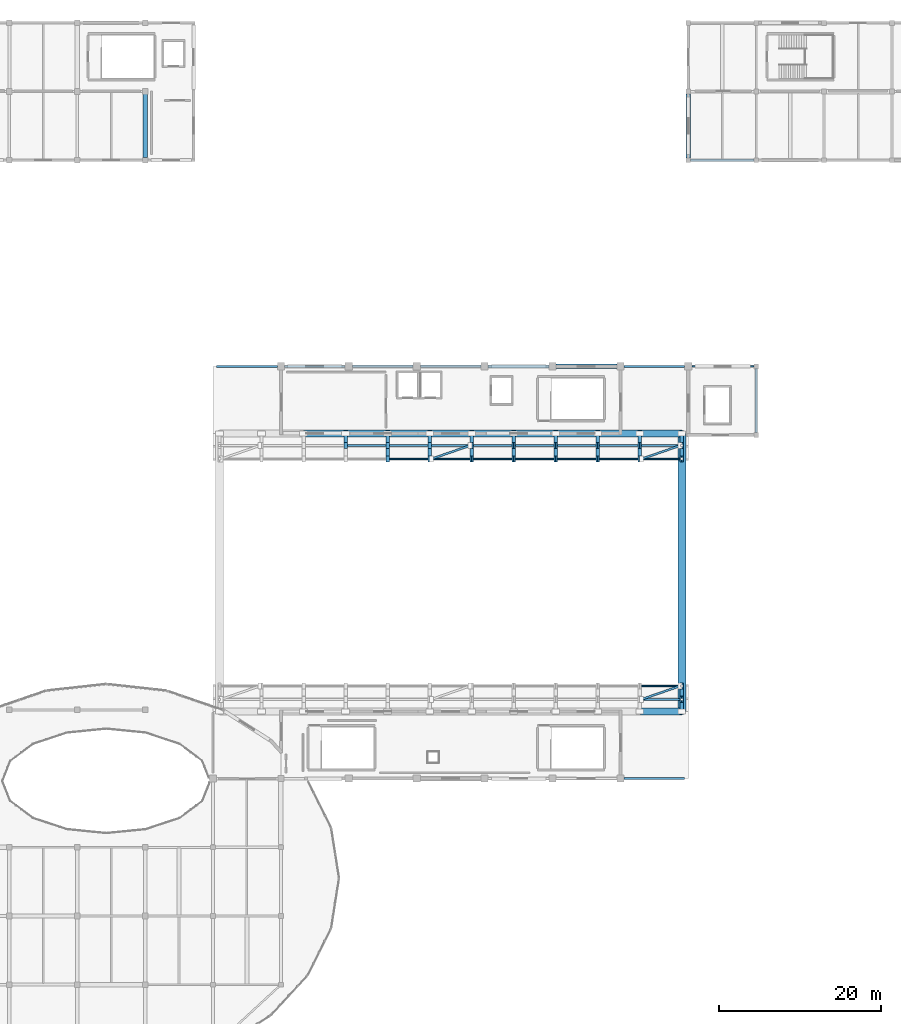
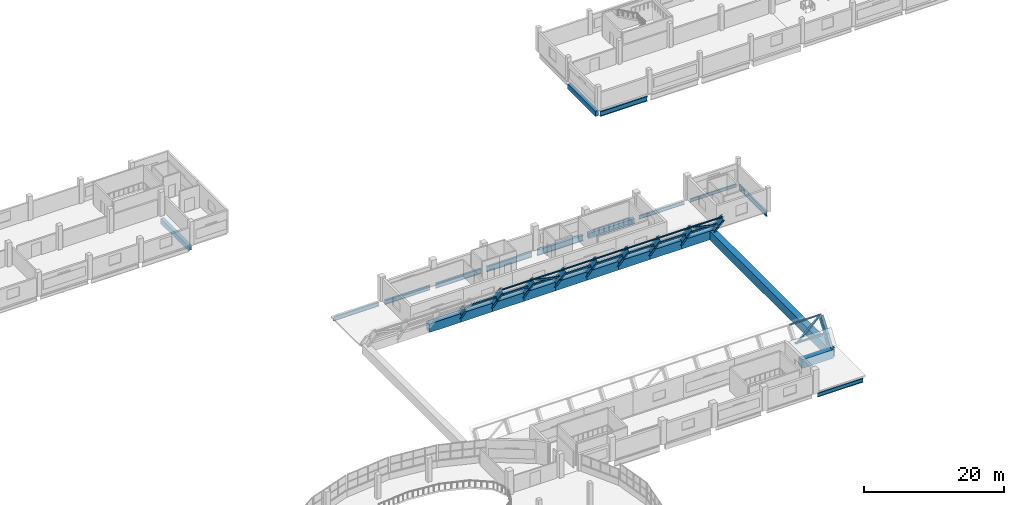
# One storey, part 31 of 52: 43 beams, 20 members.
"""IFC4 building model written with IfcOpenShell, lengths in metres."""

from ifc_helpers import new_model, si_unit, direction, frame, origin, origin_2d, place, context, subcontext, project, spatial, rectangle, hollow_rectangle, hollow_circle, i_section, extrude, material, material_profile, profile_set, type_object, element, save


model = new_model("IFC4")

# Units and contexts
model_context = context("Model", 3, precision=1e-05, world=origin(), true_north=direction((0.0, 1.0)))
body_context = subcontext(model_context, "Body", "Model", "MODEL_VIEW")
ifc_project = project(units=[si_unit("LENGTHUNIT", "METRE"), si_unit("AREAUNIT", "SQUARE_METRE"), si_unit("VOLUMEUNIT", "CUBIC_METRE"), si_unit("PLANEANGLEUNIT", "RADIAN"), si_unit("MASSUNIT", "GRAM", prefix="KILO")], contexts=[model_context])

# Site, building, storey
site_placement = place(None, origin())
site = spatial("IfcSite", under=ifc_project, at=site_placement, CompositionType="ELEMENT")
building_placement = place(site_placement, origin())
building = spatial("IfcBuilding", under=site, at=building_placement, Name="Solvento Point Concert Hall", CompositionType="ELEMENT")
storey_placement = place(building_placement, frame((0.0, 0.0, 19.5)))
storey = spatial("IfcBuildingStorey", under=building, at=storey_placement, Name="L04", CompositionType="ELEMENT", Elevation=19.5)

# Beams
ifc_material_1 = material(Name="Structural Steel ASTM A992 Grade 50", Category="steel")
ifc_material_profile_1 = material_profile(ifc_material_1, i_section(OverallWidth=0.423095703125, OverallDepth=0.947998046875, WebThickness=0.02392578125, FlangeThickness=0.042724609375, at=origin_2d()), Name="W36X302")
ifc_profile_set_1 = profile_set([ifc_material_profile_1], Name="Structural Steel ASTM A992 Grade 50")
beam_type_1 = type_object("IfcBeamType", Name="ArchRib_W36X302", PredefinedType="BEAM", material=ifc_profile_set_1)
beam_1_placement = place(storey_placement, frame((90.800048828125, 83.701416015625, 1.583251953125), z_axis=(0.0, 0.557211589906, -0.830370546247), x_axis=(-1.0, 0.0, 0.0)))
element("IfcBeam", 1, at=beam_1_placement, inside=storey, type_object=beam_type_1, Name="Steel arch rib AR-01 bay 4 seg 12", PredefinedType="BEAM", context=body_context, shape_type="SweptSolid", body=[
    extrude(i_section(OverallWidth=0.423095703125, OverallDepth=0.947998046875, WebThickness=0.02392578125, FlangeThickness=0.042724609375, at=origin_2d()), origin(), (0.0, 0.0, 1.0), 2.689453125),
])
beam_2_placement = place(storey_placement, frame((96.0, 82.043701171875, 3.816650390625), z_axis=(0.0, 0.596003968317, -0.8029814878), x_axis=(-1.0, 0.0, 0.0)))
element("IfcBeam", 2, at=beam_2_placement, inside=storey, type_object=beam_type_1, Name="Steel arch rib AR-01 bay 5 seg 11", PredefinedType="BEAM", context=body_context, shape_type="SweptSolid", body=[
    extrude(i_section(OverallWidth=0.423095703125, OverallDepth=0.947998046875, WebThickness=0.02392578125, FlangeThickness=0.042724609375, at=origin_2d()), origin(), (0.0, 0.0, 1.0), 2.781494140625),
])
beam_3_placement = place(storey_placement, frame((96.0, 83.701416015625, 1.583251953125), z_axis=(0.0, 0.557211589906, -0.830370546247), x_axis=(-1.0, 0.0, 0.0)))
element("IfcBeam", 3, at=beam_3_placement, inside=storey, type_object=beam_type_1, Name="Steel arch rib AR-01 bay 5 seg 12", PredefinedType="BEAM", context=body_context, shape_type="SweptSolid", body=[
    extrude(i_section(OverallWidth=0.423095703125, OverallDepth=0.947998046875, WebThickness=0.02392578125, FlangeThickness=0.042724609375, at=origin_2d()), origin(), (0.0, 0.0, 1.0), 2.689453125),
])
beam_4_placement = place(storey_placement, frame((101.199951171875, 82.043701171875, 3.816650390625), z_axis=(0.0, 0.596003968317, -0.8029814878), x_axis=(-1.0, 0.0, 0.0)))
element("IfcBeam", 4, at=beam_4_placement, inside=storey, type_object=beam_type_1, Name="Steel arch rib AR-01 bay 6 seg 11", PredefinedType="BEAM", context=body_context, shape_type="SweptSolid", body=[
    extrude(i_section(OverallWidth=0.423095703125, OverallDepth=0.947998046875, WebThickness=0.02392578125, FlangeThickness=0.042724609375, at=origin_2d()), origin(), (0.0, 0.0, 1.0), 2.781494140625),
])
beam_5_placement = place(storey_placement, frame((101.199951171875, 83.701416015625, 1.583251953125), z_axis=(0.0, 0.557211589906, -0.830370546247), x_axis=(-1.0, 0.0, 0.0)))
element("IfcBeam", 5, at=beam_5_placement, inside=storey, type_object=beam_type_1, Name="Steel arch rib AR-01 bay 6 seg 12", PredefinedType="BEAM", context=body_context, shape_type="SweptSolid", body=[
    extrude(i_section(OverallWidth=0.423095703125, OverallDepth=0.947998046875, WebThickness=0.02392578125, FlangeThickness=0.042724609375, at=origin_2d()), origin(), (0.0, 0.0, 1.0), 2.689453125),
])
beam_6_placement = place(storey_placement, frame((106.39990234375, 82.043701171875, 3.816650390625), z_axis=(0.0, 0.596003968317, -0.8029814878), x_axis=(-1.0, 0.0, 0.0)))
element("IfcBeam", 6, at=beam_6_placement, inside=storey, type_object=beam_type_1, Name="Steel arch rib AR-01 bay 7 seg 11", PredefinedType="BEAM", context=body_context, shape_type="SweptSolid", body=[
    extrude(i_section(OverallWidth=0.423095703125, OverallDepth=0.947998046875, WebThickness=0.02392578125, FlangeThickness=0.042724609375, at=origin_2d()), origin(), (0.0, 0.0, 1.0), 2.781494140625),
])
beam_7_placement = place(storey_placement, frame((106.39990234375, 83.701416015625, 1.583251953125), z_axis=(0.0, 0.557211589906, -0.830370546247), x_axis=(-1.0, 0.0, 0.0)))
element("IfcBeam", 7, at=beam_7_placement, inside=storey, type_object=beam_type_1, Name="Steel arch rib AR-01 bay 7 seg 12", PredefinedType="BEAM", context=body_context, shape_type="SweptSolid", body=[
    extrude(i_section(OverallWidth=0.423095703125, OverallDepth=0.947998046875, WebThickness=0.02392578125, FlangeThickness=0.042724609375, at=origin_2d()), origin(), (0.0, 0.0, 1.0), 2.689453125),
])
beam_8_placement = place(storey_placement, frame((111.60009765625, 82.043701171875, 3.816650390625), z_axis=(0.0, 0.596003968317, -0.8029814878), x_axis=(-1.0, 0.0, 0.0)))
element("IfcBeam", 8, at=beam_8_placement, inside=storey, type_object=beam_type_1, Name="Steel arch rib AR-01 bay 8 seg 11", PredefinedType="BEAM", context=body_context, shape_type="SweptSolid", body=[
    extrude(i_section(OverallWidth=0.423095703125, OverallDepth=0.947998046875, WebThickness=0.02392578125, FlangeThickness=0.042724609375, at=origin_2d()), origin(), (0.0, 0.0, 1.0), 2.781494140625),
])
beam_9_placement = place(storey_placement, frame((111.60009765625, 83.701416015625, 1.583251953125), z_axis=(0.0, 0.557211589906, -0.830370546247), x_axis=(-1.0, 0.0, 0.0)))
element("IfcBeam", 9, at=beam_9_placement, inside=storey, type_object=beam_type_1, Name="Steel arch rib AR-01 bay 8 seg 12", PredefinedType="BEAM", context=body_context, shape_type="SweptSolid", body=[
    extrude(i_section(OverallWidth=0.423095703125, OverallDepth=0.947998046875, WebThickness=0.02392578125, FlangeThickness=0.042724609375, at=origin_2d()), origin(), (0.0, 0.0, 1.0), 2.689453125),
])
beam_10_placement = place(storey_placement, frame((116.800048828125, 82.043701171875, 3.816650390625), z_axis=(0.0, 0.596003968317, -0.8029814878), x_axis=(-1.0, 0.0, 0.0)))
element("IfcBeam", 10, at=beam_10_placement, inside=storey, type_object=beam_type_1, Name="Steel arch rib AR-01 bay 9 seg 11", PredefinedType="BEAM", context=body_context, shape_type="SweptSolid", body=[
    extrude(i_section(OverallWidth=0.423095703125, OverallDepth=0.947998046875, WebThickness=0.02392578125, FlangeThickness=0.042724609375, at=origin_2d()), origin(), (0.0, 0.0, 1.0), 2.781494140625),
])
beam_11_placement = place(storey_placement, frame((116.800048828125, 83.701416015625, 1.583251953125), z_axis=(0.0, 0.557211589906, -0.830370546247), x_axis=(-1.0, 0.0, 0.0)))
element("IfcBeam", 11, at=beam_11_placement, inside=storey, type_object=beam_type_1, Name="Steel arch rib AR-01 bay 9 seg 12", PredefinedType="BEAM", context=body_context, shape_type="SweptSolid", body=[
    extrude(i_section(OverallWidth=0.423095703125, OverallDepth=0.947998046875, WebThickness=0.02392578125, FlangeThickness=0.042724609375, at=origin_2d()), origin(), (0.0, 0.0, 1.0), 2.689453125),
])
beam_12_placement = place(storey_placement, frame((122.0, 82.043701171875, 3.816650390625), z_axis=(0.0, 0.596003968317, -0.8029814878), x_axis=(-1.0, 0.0, 0.0)))
element("IfcBeam", 12, at=beam_12_placement, inside=storey, type_object=beam_type_1, Name="Steel arch rib AR-01 bay 10 seg 11", PredefinedType="BEAM", context=body_context, shape_type="SweptSolid", body=[
    extrude(i_section(OverallWidth=0.423095703125, OverallDepth=0.947998046875, WebThickness=0.02392578125, FlangeThickness=0.042724609375, at=origin_2d()), origin(), (0.0, 0.0, 1.0), 2.781494140625),
])
beam_13_placement = place(storey_placement, frame((122.0, 83.701416015625, 1.583251953125), z_axis=(0.0, 0.557211589906, -0.830370546247), x_axis=(-1.0, 0.0, 0.0)))
element("IfcBeam", 13, at=beam_13_placement, inside=storey, type_object=beam_type_1, Name="Steel arch rib AR-01 bay 10 seg 12", PredefinedType="BEAM", context=body_context, shape_type="SweptSolid", body=[
    extrude(i_section(OverallWidth=0.423095703125, OverallDepth=0.947998046875, WebThickness=0.02392578125, FlangeThickness=0.042724609375, at=origin_2d()), origin(), (0.0, 0.0, 1.0), 2.689453125),
])
beam_14_placement = place(storey_placement, frame((127.199951171875, 82.043701171875, 3.816650390625), z_axis=(0.0, 0.596003968317, -0.8029814878), x_axis=(-1.0, 0.0, 0.0)))
element("IfcBeam", 14, at=beam_14_placement, inside=storey, type_object=beam_type_1, Name="Steel arch rib AR-01 bay 11 seg 11", PredefinedType="BEAM", context=body_context, shape_type="SweptSolid", body=[
    extrude(i_section(OverallWidth=0.423095703125, OverallDepth=0.947998046875, WebThickness=0.02392578125, FlangeThickness=0.042724609375, at=origin_2d()), origin(), (0.0, 0.0, 1.0), 2.781494140625),
])
for number, where, z_axis, x_axis, name in (
    (15, (127.199951171875, 83.701416015625, 1.583251953125), (0.0, 0.557211589906, -0.830370546247), (-1.0, 0.0, 0.0), "Steel arch rib AR-01 bay 11 seg 12"),
    (16, (132.39990234375, 50.800048828125, -0.64990234375), (0.0, 0.557211589906, 0.830370546247), (-1.0, 0.0, 0.0), "Steel arch rib AR-01 bay 12 seg 1"),
):
    element("IfcBeam", number, at=place(storey_placement, frame(where, z_axis=z_axis, x_axis=x_axis)), inside=storey, type_object=beam_type_1, Name=name, PredefinedType="BEAM", context=body_context, shape_type="SweptSolid", body=[
        extrude(i_section(OverallWidth=0.423095703125, OverallDepth=0.947998046875, WebThickness=0.02392578125, FlangeThickness=0.042724609375, at=origin_2d()), origin(), (0.0, 0.0, 1.0), 2.689453125),
    ])
for number, where, z_axis, x_axis, name in (
    (17, (132.39990234375, 52.298583984375, 1.583251953125), (0.0, 0.596003968317, 0.8029814878), (-1.0, 0.0, 0.0), "Steel arch rib AR-01 bay 12 seg 2"),
    (18, (132.39990234375, 82.043701171875, 3.816650390625), (0.0, 0.596003968317, -0.8029814878), (-1.0, 0.0, 0.0), "Steel arch rib AR-01 bay 12 seg 11"),
):
    element("IfcBeam", number, at=place(storey_placement, frame(where, z_axis=z_axis, x_axis=x_axis)), inside=storey, type_object=beam_type_1, Name=name, PredefinedType="BEAM", context=body_context, shape_type="SweptSolid", body=[
        extrude(i_section(OverallWidth=0.423095703125, OverallDepth=0.947998046875, WebThickness=0.02392578125, FlangeThickness=0.042724609375, at=origin_2d()), origin(), (0.0, 0.0, 1.0), 2.781494140625),
    ])
beam_15_placement = place(storey_placement, frame((132.39990234375, 83.701416015625, 1.583251953125), z_axis=(0.0, 0.557211589906, -0.830370546247), x_axis=(-1.0, 0.0, 0.0)))
element("IfcBeam", 19, at=beam_15_placement, inside=storey, type_object=beam_type_1, Name="Steel arch rib AR-01 bay 12 seg 12", PredefinedType="BEAM", context=body_context, shape_type="SweptSolid", body=[
    extrude(i_section(OverallWidth=0.423095703125, OverallDepth=0.947998046875, WebThickness=0.02392578125, FlangeThickness=0.042724609375, at=origin_2d()), origin(), (0.0, 0.0, 1.0), 2.689453125),
])
ifc_material_2 = material(Name="Structural Steel ASTM A992 Grade 50", Category="steel")
ifc_material_profile_2 = material_profile(ifc_material_2, i_section(OverallWidth=0.214111328125, OverallDepth=0.549072265625, WebThickness=0.0146484375, FlangeThickness=0.023681640625, at=origin_2d()), Name="W21X93")
ifc_profile_set_2 = profile_set([ifc_material_profile_2], Name="Structural Steel ASTM A992 Grade 50")
beam_type_2 = type_object("IfcBeamType", Name="Beam_W21X93", PredefinedType="BEAM", material=ifc_profile_set_2)
beam_16_placement = place(storey_placement, frame((133.64404296875, 93.5, -0.568603515625), z_axis=(1.0, 0.0, 0.0), x_axis=(0.0, 1.0, 0.0)))
element("IfcBeam", 20, at=beam_16_placement, inside=storey, type_object=beam_type_2, Name="Primary girder B-48 L04", PredefinedType="BEAM", context=body_context, shape_type="SweptSolid", body=[
    extrude(i_section(OverallWidth=0.214111328125, OverallDepth=0.549072265625, WebThickness=0.0146484375, FlangeThickness=0.023681640625, at=origin_2d()), origin(), (0.0, 0.0, 1.0), 7.661865234375),
])
ifc_material_3 = material(Name="Structural Steel ASTM A992 Grade 50", Category="steel")
ifc_material_profile_3 = material_profile(ifc_material_3, i_section(OverallWidth=0.228515625, OverallDepth=0.60791015625, WebThickness=0.01123046875, FlangeThickness=0.017333984375, at=origin_2d()), Name="W24X76")
ifc_profile_set_3 = profile_set([ifc_material_profile_3], Name="Structural Steel ASTM A992 Grade 50")
beam_type_3 = type_object("IfcBeamType", Name="Beam_W24X76", PredefinedType="BEAM", material=ifc_profile_set_3)
beam_17_placement = place(storey_placement, frame((125.243896484375, 93.5, -0.568115234375), z_axis=(1.0, 0.0, 0.0), x_axis=(0.0, 1.0, 0.0)))
element("IfcBeam", 21, at=beam_17_placement, inside=storey, type_object=beam_type_3, Name="Primary girder B-42 L04", PredefinedType="BEAM", context=body_context, shape_type="SweptSolid", body=[
    extrude(i_section(OverallWidth=0.228515625, OverallDepth=0.60791015625, WebThickness=0.01123046875, FlangeThickness=0.017333984375, at=origin_2d()), origin(), (0.0, 0.0, 1.0), 7.51220703125),
])
ifc_material_4 = material(Name="Concrete C40/50", Category="concrete")
ifc_material_profile_4 = material_profile(ifc_material_4, rectangle(XDim=0.89990234375, YDim=1.5, at=origin_2d()), Name="RC-ERB-900X1500")
ifc_profile_set_4 = profile_set([ifc_material_profile_4], Name="Concrete C40/50")
beam_type_4 = type_object("IfcBeamType", Name="EdgeRingBeam_900x1500", PredefinedType="SPANDREL", material=ifc_profile_set_4)
for number, where, z_axis, x_axis, name in (
    (22, (127.199951171875, 50.800048828125, -0.75), (1.0, 0.0, 0.0), (0.0, 1.0, 0.0), "Edge ring beam ERB-01 S-11"),
    (23, (85.60009765625, 85.199951171875, -0.75), (1.0, 0.0, 0.0), (0.0, 1.0, 0.0), "Edge ring beam ERB-01 N-03"),
    (24, (90.800048828125, 85.199951171875, -0.75), (1.0, 0.0, 0.0), (0.0, 1.0, 0.0), "Edge ring beam ERB-01 N-04"),
    (25, (96.0, 85.199951171875, -0.75), (1.0, 0.0, 0.0), (0.0, 1.0, 0.0), "Edge ring beam ERB-01 N-05"),
    (26, (101.199951171875, 85.199951171875, -0.75), (1.0, 0.0, 0.0), (0.0, 1.0, 0.0), "Edge ring beam ERB-01 N-06"),
):
    element("IfcBeam", number, at=place(storey_placement, frame(where, z_axis=z_axis, x_axis=x_axis)), inside=storey, type_object=beam_type_4, Name=name, PredefinedType="SPANDREL", context=body_context, shape_type="SweptSolid", body=[
        extrude(rectangle(XDim=0.89990234375, YDim=1.5, at=origin_2d()), origin(), (0.0, 0.0, 1.0), 5.199951171875),
    ])
beam_18_placement = place(storey_placement, frame((106.39990234375, 85.199951171875, -0.75), z_axis=(1.0, 0.0, 0.0), x_axis=(0.0, 1.0, 0.0)))
element("IfcBeam", 27, at=beam_18_placement, inside=storey, type_object=beam_type_4, Name="Edge ring beam ERB-01 N-07", PredefinedType="SPANDREL", context=body_context, shape_type="SweptSolid", body=[
    extrude(rectangle(XDim=0.89990234375, YDim=1.5, at=origin_2d()), origin(), (0.0, 0.0, 1.0), 5.2001953125),
])
for number, where, z_axis, x_axis, name in (
    (28, (111.60009765625, 85.199951171875, -0.75), (1.0, 0.0, 0.0), (0.0, 1.0, 0.0), "Edge ring beam ERB-01 N-08"),
    (29, (116.800048828125, 85.199951171875, -0.75), (1.0, 0.0, 0.0), (0.0, 1.0, 0.0), "Edge ring beam ERB-01 N-09"),
    (30, (122.0, 85.199951171875, -0.75), (1.0, 0.0, 0.0), (0.0, 1.0, 0.0), "Edge ring beam ERB-01 N-10"),
    (31, (127.199951171875, 85.199951171875, -0.75), (1.0, 0.0, 0.0), (0.0, 1.0, 0.0), "Edge ring beam ERB-01 N-11"),
):
    element("IfcBeam", number, at=place(storey_placement, frame(where, z_axis=z_axis, x_axis=x_axis)), inside=storey, type_object=beam_type_4, Name=name, PredefinedType="SPANDREL", context=body_context, shape_type="SweptSolid", body=[
        extrude(rectangle(XDim=0.89990234375, YDim=1.5, at=origin_2d()), origin(), (0.0, 0.0, 1.0), 5.199951171875),
    ])
ifc_material_5 = material(Name="Concrete C35/45", Category="concrete")
ifc_material_profile_5 = material_profile(ifc_material_5, rectangle(XDim=0.550048828125, YDim=0.89990234375, at=origin_2d()), Name="RC-BM-550X900")
ifc_profile_set_5 = profile_set([ifc_material_profile_5], Name="Concrete C35/45")
beam_type_5 = type_object("IfcBeamType", Name="Girder_RC_550x900", PredefinedType="USERDEFINED", material=ifc_profile_set_5)
beam_19_placement = place(storey_placement, frame((116.843994140625, 93.5, -0.743896484375), z_axis=(1.0, 0.0, 0.0), x_axis=(0.0, 1.0, 0.0)))
element("IfcBeam", 32, at=beam_19_placement, inside=storey, type_object=beam_type_5, Name="Primary girder B-39 L04", ObjectType="GIRDER", PredefinedType="USERDEFINED", context=body_context, shape_type="SweptSolid", body=[
    extrude(rectangle(XDim=0.550048828125, YDim=0.89990234375, at=origin_2d()), origin(), (0.0, 0.0, 1.0), 7.511962890625),
])
beam_20_placement = place(storey_placement, frame((66.0, 119.319091796875, -0.7939453125), z_axis=(0.0, 1.0, 0.0), x_axis=(-1.0, 0.0, 0.0)))
element("IfcBeam", 33, at=beam_20_placement, inside=storey, type_object=beam_type_5, Name="Primary girder B-39 L04", ObjectType="GIRDER", PredefinedType="USERDEFINED", context=body_context, shape_type="SweptSolid", body=[
    extrude(rectangle(XDim=0.550048828125, YDim=0.89990234375, at=origin_2d()), origin(), (0.0, 0.0, 1.0), 7.86181640625),
])
beam_21_placement = place(storey_placement, frame((133.199951171875, 119.2939453125, -0.8740234375), z_axis=(0.0, 1.0, 0.0), x_axis=(-1.0, 0.0, 0.0)))
element("IfcBeam", 34, at=beam_21_placement, inside=storey, type_object=beam_type_5, Name="Primary girder B-39 L04", ObjectType="GIRDER", PredefinedType="USERDEFINED", context=body_context, shape_type="SweptSolid", body=[
    extrude(rectangle(XDim=0.550048828125, YDim=0.89990234375, at=origin_2d()), origin(), (0.0, 0.0, 1.0), 7.912109375),
])
ifc_material_6 = material(Name="Structural Steel ASTM A992 Grade 50", Category="steel")
ifc_material_profile_6 = material_profile(ifc_material_6, i_section(OverallWidth=0.256103515625, OverallDepth=0.693115234375, WebThickness=0.014404296875, FlangeThickness=0.023681640625, at=origin_2d()), Name="W27X114")
ifc_profile_set_6 = profile_set([ifc_material_profile_6], Name="Structural Steel ASTM A992 Grade 50")
beam_type_6 = type_object("IfcBeamType", Name="Girder_W27X114", PredefinedType="USERDEFINED", material=ifc_profile_set_6)
beam_22_placement = place(storey_placement, frame((125.243896484375, 42.5, -0.610595703125), z_axis=(1.0, 0.0, 0.0), x_axis=(0.0, 1.0, 0.0)))
element("IfcBeam", 35, at=beam_22_placement, inside=storey, type_object=beam_type_6, Name="Primary girder B-23 L04", ObjectType="GIRDER", PredefinedType="USERDEFINED", context=body_context, shape_type="SweptSolid", body=[
    extrude(i_section(OverallWidth=0.256103515625, OverallDepth=0.693115234375, WebThickness=0.014404296875, FlangeThickness=0.023681640625, at=origin_2d()), origin(), (0.0, 0.0, 1.0), 7.51220703125),
])
beam_23_placement = place(storey_placement, frame((74.843994140625, 93.5, -0.610595703125), z_axis=(1.0, 0.0, 0.0), x_axis=(0.0, 1.0, 0.0)))
element("IfcBeam", 36, at=beam_23_placement, inside=storey, type_object=beam_type_6, Name="Primary girder B-23 L04", ObjectType="GIRDER", PredefinedType="USERDEFINED", context=body_context, shape_type="SweptSolid", body=[
    extrude(i_section(OverallWidth=0.256103515625, OverallDepth=0.693115234375, WebThickness=0.014404296875, FlangeThickness=0.023681640625, at=origin_2d()), origin(), (0.0, 0.0, 1.0), 7.511962890625),
])
ifc_material_7 = material(Name="Structural Steel ASTM A992 Grade 50", Category="steel")
ifc_material_profile_7 = material_profile(ifc_material_7, i_section(OverallWidth=0.26806640625, OverallDepth=0.77001953125, WebThickness=0.015625, FlangeThickness=0.025390625, at=origin_2d()), Name="W30X132")
ifc_profile_set_7 = profile_set([ifc_material_profile_7], Name="Structural Steel ASTM A992 Grade 50")
beam_type_7 = type_object("IfcBeamType", Name="Girder_W30X132", PredefinedType="USERDEFINED", material=ifc_profile_set_7)
beam_24_placement = place(storey_placement, frame((83.243896484375, 93.5, -0.678955078125), z_axis=(1.0, 0.0, 0.0), x_axis=(0.0, 1.0, 0.0)))
element("IfcBeam", 37, at=beam_24_placement, inside=storey, type_object=beam_type_7, Name="Primary girder B-68 L04", ObjectType="GIRDER", PredefinedType="USERDEFINED", context=body_context, shape_type="SweptSolid", body=[
    extrude(i_section(OverallWidth=0.26806640625, OverallDepth=0.77001953125, WebThickness=0.015625, FlangeThickness=0.025390625, at=origin_2d()), origin(), (0.0, 0.0, 1.0), 7.51220703125),
])
ifc_material_8 = material(Name="Structural Steel ASTM A992 Grade 50", Category="steel")
ifc_material_profile_8 = material_profile(ifc_material_8, i_section(OverallWidth=0.2919921875, OverallDepth=0.85888671875, WebThickness=0.01708984375, FlangeThickness=0.031005859375, at=origin_2d()), Name="W33X169")
ifc_profile_set_8 = profile_set([ifc_material_profile_8], Name="Structural Steel ASTM A992 Grade 50")
beam_type_8 = type_object("IfcBeamType", Name="Girder_W33X169", PredefinedType="USERDEFINED", material=ifc_profile_set_8)
beam_25_placement = place(storey_placement, frame((91.64404296875, 93.5, -0.723388671875), z_axis=(1.0, 0.0, 0.0), x_axis=(0.0, 1.0, 0.0)))
element("IfcBeam", 38, at=beam_25_placement, inside=storey, type_object=beam_type_8, Name="Primary girder B-33 L04", ObjectType="GIRDER", PredefinedType="USERDEFINED", context=body_context, shape_type="SweptSolid", body=[
    extrude(i_section(OverallWidth=0.2919921875, OverallDepth=0.85888671875, WebThickness=0.01708984375, FlangeThickness=0.031005859375, at=origin_2d()), origin(), (0.0, 0.0, 1.0), 7.511962890625),
])
beam_26_placement = place(storey_placement, frame((133.493896484375, 119.0, -0.853515625), z_axis=(1.0, 0.0, 0.0), x_axis=(0.0, 1.0, 0.0)))
element("IfcBeam", 39, at=beam_26_placement, inside=storey, type_object=beam_type_8, Name="Primary girder B-33 L04", ObjectType="GIRDER", PredefinedType="USERDEFINED", context=body_context, shape_type="SweptSolid", body=[
    extrude(i_section(OverallWidth=0.2919921875, OverallDepth=0.85888671875, WebThickness=0.01708984375, FlangeThickness=0.031005859375, at=origin_2d()), origin(), (0.0, 0.0, 1.0), 7.81201171875),
])
beam_27_placement = place(storey_placement, frame((141.60009765625, 85.2939453125, -0.723388671875), z_axis=(0.0, 1.0, 0.0), x_axis=(-1.0, 0.0, 0.0)))
element("IfcBeam", 40, at=beam_27_placement, inside=storey, type_object=beam_type_8, Name="Primary girder B-33 L04", ObjectType="GIRDER", PredefinedType="USERDEFINED", context=body_context, shape_type="SweptSolid", body=[
    extrude(i_section(OverallWidth=0.2919921875, OverallDepth=0.85888671875, WebThickness=0.01708984375, FlangeThickness=0.031005859375, at=origin_2d()), origin(), (0.0, 0.0, 1.0), 7.912109375),
])
ifc_material_9 = material(Name="Structural Steel ASTM A992 Grade 50", Category="steel")
ifc_material_profile_9 = material_profile(ifc_material_9, i_section(OverallWidth=0.3076171875, OverallDepth=0.927001953125, WebThickness=0.019287109375, FlangeThickness=0.031982421875, at=origin_2d()), Name="W36X194")
ifc_profile_set_9 = profile_set([ifc_material_profile_9], Name="Structural Steel ASTM A992 Grade 50")
beam_type_9 = type_object("IfcBeamType", Name="Girder_W36X194", PredefinedType="USERDEFINED", material=ifc_profile_set_9)
beam_28_placement = place(storey_placement, frame((100.0439453125, 93.5, -0.757568359375), z_axis=(1.0, 0.0, 0.0), x_axis=(0.0, 1.0, 0.0)))
element("IfcBeam", 41, at=beam_28_placement, inside=storey, type_object=beam_type_9, Name="Primary girder B-61 L04", ObjectType="GIRDER", PredefinedType="USERDEFINED", context=body_context, shape_type="SweptSolid", body=[
    extrude(i_section(OverallWidth=0.3076171875, OverallDepth=0.927001953125, WebThickness=0.019287109375, FlangeThickness=0.031982421875, at=origin_2d()), origin(), (0.0, 0.0, 1.0), 7.511962890625),
])
ifc_material_10 = material(Name="Structural Steel ASTM A992 Grade 50", Category="steel")
ifc_material_profile_10 = material_profile(ifc_material_10, i_section(OverallWidth=0.361083984375, OverallDepth=1.02587890625, WebThickness=0.01904296875, FlangeThickness=0.0361328125, at=origin_2d()), Name="W40X249")
ifc_profile_set_10 = profile_set([ifc_material_profile_10], Name="Structural Steel ASTM A992 Grade 50")
beam_type_10 = type_object("IfcBeamType", Name="Girder_W40X249", PredefinedType="USERDEFINED", material=ifc_profile_set_10)
beam_29_placement = place(storey_placement, frame((108.444091796875, 93.5, -0.806884765625), z_axis=(1.0, 0.0, 0.0), x_axis=(0.0, 1.0, 0.0)))
element("IfcBeam", 42, at=beam_29_placement, inside=storey, type_object=beam_type_10, Name="Primary girder B-29 L04", ObjectType="GIRDER", PredefinedType="USERDEFINED", context=body_context, shape_type="SweptSolid", body=[
    extrude(i_section(OverallWidth=0.361083984375, OverallDepth=1.02587890625, WebThickness=0.01904296875, FlangeThickness=0.0361328125, at=origin_2d()), origin(), (0.0, 0.0, 1.0), 7.511962890625),
])

# Members
ifc_material_11 = material(Name="Structural Steel ASTM A500 Grade C", Category="steel")
ifc_material_profile_11 = material_profile(ifc_material_11, hollow_rectangle(XDim=0.25390625, YDim=0.25390625, WallThickness=0.01171875, at=origin_2d()), Name="HSS10X10X1/2")
ifc_profile_set_11 = profile_set([ifc_material_profile_11], Name="Structural Steel ASTM A500 Grade C")
member_type_1 = type_object("IfcMemberType", Name="ShellBrace_HSS10", PredefinedType="BRACE", material=ifc_profile_set_11)
for number, where, z_axis, x_axis, name in (
    (43, (101.41162109375, 82.043701171875, 3.816650390625), (0.864181511654, 0.299897396715, -0.40404438662), (-0.3278500994, 0.944729756239, 0.0), "Acoustic shell lateral brace M"),
    (44, (127.41162109375, 52.298583984375, 1.583251953125), (0.864181511654, 0.299897396715, 0.40404438662), (-0.3278500994, 0.944729756239, 0.0), "Acoustic shell lateral brace M"),
    (45, (127.41162109375, 82.043701171875, 3.816650390625), (0.864181511654, 0.299897396715, -0.40404438662), (-0.3278500994, 0.944729756239, 0.0), "Acoustic shell lateral brace M"),
):
    element("IfcMember", number, at=place(storey_placement, frame(where, z_axis=z_axis, x_axis=x_axis)), inside=storey, type_object=member_type_1, Name=name, PredefinedType="BRACE", context=body_context, shape_type="SweptSolid", body=[
        extrude(hollow_rectangle(XDim=0.25390625, YDim=0.25390625, WallThickness=0.01171875, at=origin_2d()), origin(), (0.0, 0.0, 1.0), 5.527587890625),
    ])
ifc_material_12 = material(Name="Structural Steel ASTM A500 Grade C", Category="steel")
ifc_material_profile_12 = material_profile(ifc_material_12, hollow_circle(Radius=0.136474609375, WallThickness=0.012451171875, at=origin_2d()), Name="CHS273X12.5")
ifc_profile_set_12 = profile_set([ifc_material_profile_12], Name="Structural Steel ASTM A500 Grade C")
member_type_2 = type_object("IfcMemberType", Name="ShellPurlin_CHS273", PredefinedType="PURLIN", material=ifc_profile_set_12)
member_placement = place(storey_placement, frame((96.014892578125, 82.043701171875, 3.98681640625), z_axis=(1.0, 0.0, 0.0), x_axis=(0.0, 1.0, 0.0)))
element("IfcMember", 46, at=member_placement, inside=storey, type_object=member_type_2, Name="Acoustic shell steel purlin M-54", PredefinedType="PURLIN", context=body_context, shape_type="SweptSolid", body=[
    extrude(hollow_circle(Radius=0.136474609375, WallThickness=0.012451171875, at=origin_2d()), origin(), (0.0, 0.0, 1.0), 5.170166015625),
])
for number, where, z_axis, x_axis, name in (
    (47, (101.215087890625, 82.043701171875, 3.98681640625), (1.0, 0.0, 0.0), (0.0, 1.0, 0.0), "Acoustic shell steel purlin M-54"),
    (48, (106.4150390625, 82.043701171875, 3.98681640625), (1.0, 0.0, 0.0), (0.0, 1.0, 0.0), "Acoustic shell steel purlin M-54"),
    (49, (111.614990234375, 82.043701171875, 3.98681640625), (1.0, 0.0, 0.0), (0.0, 1.0, 0.0), "Acoustic shell steel purlin M-54"),
):
    element("IfcMember", number, at=place(storey_placement, frame(where, z_axis=z_axis, x_axis=x_axis)), inside=storey, type_object=member_type_2, Name=name, PredefinedType="PURLIN", context=body_context, shape_type="SweptSolid", body=[
        extrude(hollow_circle(Radius=0.136474609375, WallThickness=0.012451171875, at=origin_2d()), origin(), (0.0, 0.0, 1.0), 5.169921875),
    ])
for number, where, z_axis, x_axis, name in (
    (50, (116.81494140625, 82.043701171875, 3.98681640625), (1.0, 0.0, 0.0), (0.0, 1.0, 0.0), "Acoustic shell steel purlin M-54"),
    (51, (122.014892578125, 82.043701171875, 3.98681640625), (1.0, 0.0, 0.0), (0.0, 1.0, 0.0), "Acoustic shell steel purlin M-54"),
):
    element("IfcMember", number, at=place(storey_placement, frame(where, z_axis=z_axis, x_axis=x_axis)), inside=storey, type_object=member_type_2, Name=name, PredefinedType="PURLIN", context=body_context, shape_type="SweptSolid", body=[
        extrude(hollow_circle(Radius=0.136474609375, WallThickness=0.012451171875, at=origin_2d()), origin(), (0.0, 0.0, 1.0), 5.170166015625),
    ])
for number, where, z_axis, x_axis, name in (
    (52, (127.215087890625, 53.956298828125, 3.98681640625), (1.0, 0.0, 0.0), (0.0, 1.0, 0.0), "Acoustic shell steel purlin M-54"),
    (53, (127.215087890625, 82.043701171875, 3.98681640625), (1.0, 0.0, 0.0), (0.0, 1.0, 0.0), "Acoustic shell steel purlin M-54"),
):
    element("IfcMember", number, at=place(storey_placement, frame(where, z_axis=z_axis, x_axis=x_axis)), inside=storey, type_object=member_type_2, Name=name, PredefinedType="PURLIN", context=body_context, shape_type="SweptSolid", body=[
        extrude(hollow_circle(Radius=0.136474609375, WallThickness=0.012451171875, at=origin_2d()), origin(), (0.0, 0.0, 1.0), 5.169921875),
    ])
ifc_material_13 = material(Name="Structural Steel ASTM A500 Grade C", Category="steel")
ifc_material_profile_13 = material_profile(ifc_material_13, hollow_rectangle(XDim=0.25390625, YDim=0.25390625, WallThickness=0.01171875, at=origin_2d()), Name="HSS10X10X1/2")
ifc_profile_set_13 = profile_set([ifc_material_profile_13], Name="Structural Steel ASTM A500 Grade C")
member_type_3 = type_object("IfcMemberType", Name="ShellPurlin_HSS10", PredefinedType="PURLIN", material=ifc_profile_set_13)
for number, where, z_axis, x_axis, name in (
    (54, (90.81494140625, 83.701416015625, 1.75341796875), (1.0, 0.0, 0.0), (0.0, 1.0, 0.0), "Acoustic shell steel purlin M-49"),
    (55, (96.014892578125, 83.701416015625, 1.75341796875), (1.0, 0.0, 0.0), (0.0, 1.0, 0.0), "Acoustic shell steel purlin M-49"),
):
    element("IfcMember", number, at=place(storey_placement, frame(where, z_axis=z_axis, x_axis=x_axis)), inside=storey, type_object=member_type_3, Name=name, PredefinedType="PURLIN", context=body_context, shape_type="SweptSolid", body=[
        extrude(hollow_rectangle(XDim=0.25390625, YDim=0.25390625, WallThickness=0.01171875, at=origin_2d()), origin(), (0.0, 0.0, 1.0), 5.170166015625),
    ])
for number, where, z_axis, x_axis, name in (
    (56, (101.215087890625, 83.701416015625, 1.75341796875), (1.0, 0.0, 0.0), (0.0, 1.0, 0.0), "Acoustic shell steel purlin M-49"),
    (57, (106.4150390625, 83.701416015625, 1.75341796875), (1.0, 0.0, 0.0), (0.0, 1.0, 0.0), "Acoustic shell steel purlin M-49"),
    (58, (111.614990234375, 83.701416015625, 1.75341796875), (1.0, 0.0, 0.0), (0.0, 1.0, 0.0), "Acoustic shell steel purlin M-49"),
):
    element("IfcMember", number, at=place(storey_placement, frame(where, z_axis=z_axis, x_axis=x_axis)), inside=storey, type_object=member_type_3, Name=name, PredefinedType="PURLIN", context=body_context, shape_type="SweptSolid", body=[
        extrude(hollow_rectangle(XDim=0.25390625, YDim=0.25390625, WallThickness=0.01171875, at=origin_2d()), origin(), (0.0, 0.0, 1.0), 5.169921875),
    ])
for number, where, z_axis, x_axis, name in (
    (59, (116.81494140625, 83.701416015625, 1.75341796875), (1.0, 0.0, 0.0), (0.0, 1.0, 0.0), "Acoustic shell steel purlin M-49"),
    (60, (122.014892578125, 83.701416015625, 1.75341796875), (1.0, 0.0, 0.0), (0.0, 1.0, 0.0), "Acoustic shell steel purlin M-49"),
):
    element("IfcMember", number, at=place(storey_placement, frame(where, z_axis=z_axis, x_axis=x_axis)), inside=storey, type_object=member_type_3, Name=name, PredefinedType="PURLIN", context=body_context, shape_type="SweptSolid", body=[
        extrude(hollow_rectangle(XDim=0.25390625, YDim=0.25390625, WallThickness=0.01171875, at=origin_2d()), origin(), (0.0, 0.0, 1.0), 5.170166015625),
    ])
for number, where, z_axis, x_axis, name in (
    (61, (127.215087890625, 52.298583984375, 1.75341796875), (1.0, 0.0, 0.0), (0.0, 1.0, 0.0), "Acoustic shell steel purlin M-49"),
    (62, (127.215087890625, 83.701416015625, 1.75341796875), (1.0, 0.0, 0.0), (0.0, 1.0, 0.0), "Acoustic shell steel purlin M-49"),
):
    element("IfcMember", number, at=place(storey_placement, frame(where, z_axis=z_axis, x_axis=x_axis)), inside=storey, type_object=member_type_3, Name=name, PredefinedType="PURLIN", context=body_context, shape_type="SweptSolid", body=[
        extrude(hollow_rectangle(XDim=0.25390625, YDim=0.25390625, WallThickness=0.01171875, at=origin_2d()), origin(), (0.0, 0.0, 1.0), 5.169921875),
    ])

# Beam
ifc_material_14 = material(Name="Concrete C40/50", Category="concrete")
ifc_material_profile_14 = material_profile(ifc_material_14, rectangle(XDim=1.0, YDim=1.60009765625, at=origin_2d()), Name="RC-TG-1000X1600")
ifc_profile_set_14 = profile_set([ifc_material_profile_14], Name="Concrete C40/50")
beam_type_11 = type_object("IfcBeamType", Name="TransferGirder_1000x1600", PredefinedType="USERDEFINED", material=ifc_profile_set_14)
beam_30_placement = place(storey_placement, frame((132.39990234375, 50.800048828125, -0.800048828125), z_axis=(0.0, 1.0, 0.0), x_axis=(-1.0, 0.0, 0.0)))
element("IfcBeam", 63, at=beam_30_placement, inside=storey, type_object=beam_type_11, Name="End transfer ring girder TG-01 E", ObjectType="GIRDER", PredefinedType="USERDEFINED", context=body_context, shape_type="SweptSolid", body=[
    extrude(rectangle(XDim=1.0, YDim=1.60009765625, at=origin_2d()), origin(), (0.0, 0.0, 1.0), 34.39990234375),
])

save(model, "model.ifc")
